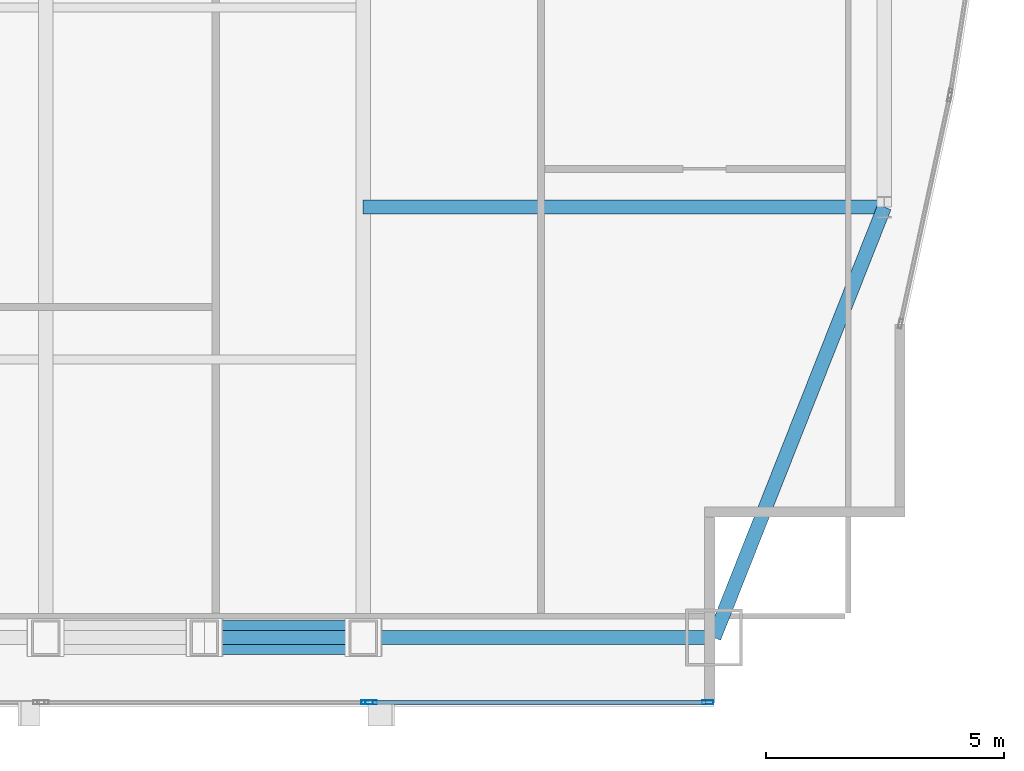
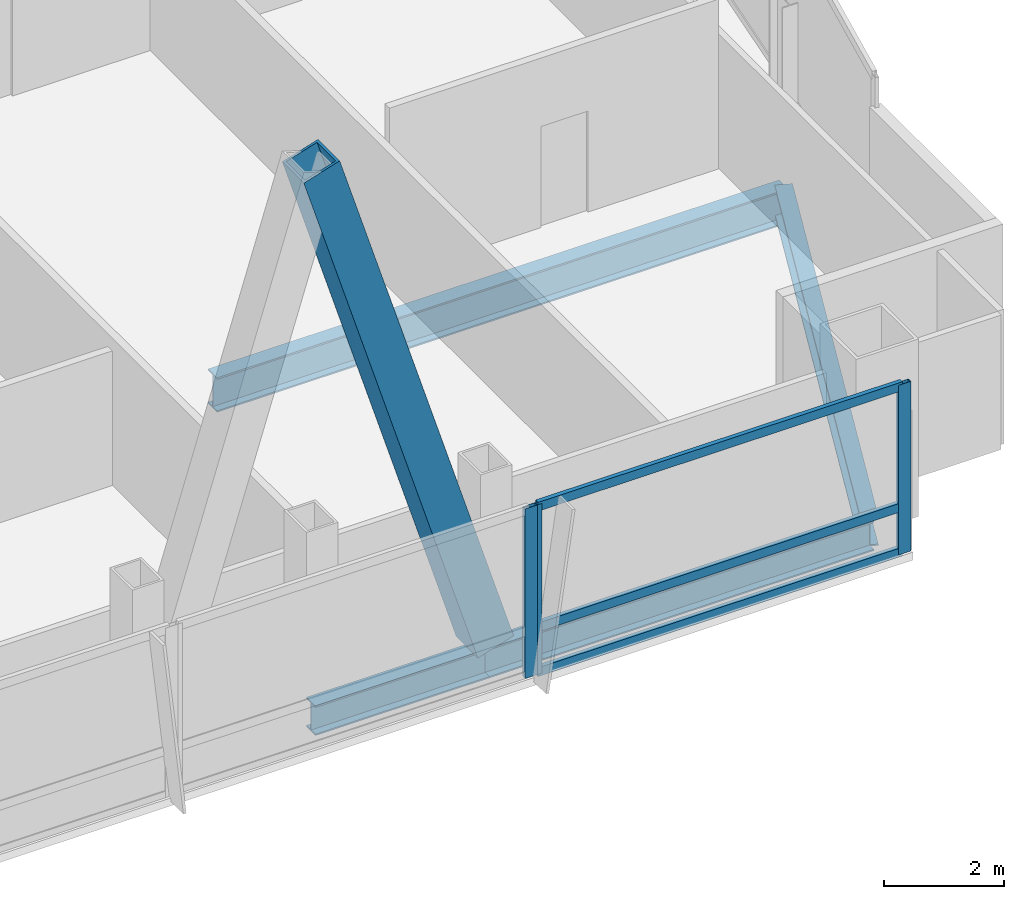
# One storey, part 15 of 33: 7 members, 4 beams, 2 elements without a shape of their own.
"""IFC4 building model written with IfcOpenShell, lengths in metres."""

from ifc_helpers import new_model, si_unit, direction, frame, origin, origin_2d, place, context, subcontext, project, spatial, hollow_rectangle, i_section, extrude, material, material_profile, profile_set, type_object, element, aggregate, save


model = new_model("IFC4")

# Units and contexts
model_context = context("Model", 3, precision=1e-05, world=origin(), true_north=direction((0.0, 1.0)))
body_context = subcontext(model_context, "Body", "Model", "MODEL_VIEW")
ifc_project = project(units=[si_unit("LENGTHUNIT", "METRE"), si_unit("AREAUNIT", "SQUARE_METRE"), si_unit("VOLUMEUNIT", "CUBIC_METRE"), si_unit("PLANEANGLEUNIT", "RADIAN"), si_unit("MASSUNIT", "GRAM", prefix="KILO")], contexts=[model_context])

# Site, building, storey
site_placement = place(None, origin())
site = spatial("IfcSite", under=ifc_project, at=site_placement, CompositionType="ELEMENT")
building_placement = place(site_placement, origin())
building = spatial("IfcBuilding", under=site, at=building_placement, Name="Khoronbel Lancet Exchange", CompositionType="ELEMENT")
storey_placement = place(building_placement, frame((0.0, 0.0, 210.199951171875)))
storey = spatial("IfcBuildingStorey", under=building, at=storey_placement, Name="L53", CompositionType="ELEMENT", Elevation=210.199951171875)

# Beams
ifc_material_1 = material(Name="Steel S355", Category="steel")
ifc_material_profile_1 = material_profile(ifc_material_1, i_section(OverallWidth=0.300048828125, OverallDepth=0.699951171875, WebThickness=0.01708984375, FlangeThickness=0.031982421875, at=origin_2d()), Name="HEB 700")
ifc_profile_set_1 = profile_set([ifc_material_profile_1], Name="Steel S355")
beam_type_1 = type_object("IfcBeamType", Name="BM-BG3", PredefinedType="BEAM", material=ifc_profile_set_1)
beam_1_placement = place(storey_placement, frame((54.675048828125, 19.199951171875, -0.510009765625), z_axis=(1.0, 0.0, 0.0), x_axis=(0.0, 1.0, 0.0)))
element("IfcBeam", 1, at=beam_1_placement, inside=storey, type_object=beam_type_1, Name="Level L53 east lens tie girder LG1E", PredefinedType="BEAM", context=body_context, shape_type="SweptSolid", body=[
    extrude(i_section(OverallWidth=0.300048828125, OverallDepth=0.699951171875, WebThickness=0.01708984375, FlangeThickness=0.031982421875, at=origin_2d()), origin(), (0.0, 0.0, 1.0), 10.954833984375),
])
ifc_material_profile_2 = material_profile(ifc_material_1, i_section(OverallWidth=0.300048828125, OverallDepth=0.60009765625, WebThickness=0.015380859375, FlangeThickness=0.030029296875, at=origin_2d()), Name="HEB 600")
ifc_profile_set_2 = profile_set([ifc_material_profile_2], Name="Steel S355")
beam_type_2 = type_object("IfcBeamType", Name="BM-BSP2", PredefinedType="SPANDREL", material=ifc_profile_set_2)
beam_2_placement = place(storey_placement, frame((51.33740234375, 10.14990234375, -0.4599609375), z_axis=(1.0, 0.0, 0.0), x_axis=(0.0, 1.0, 0.0)))
element("IfcBeam", 2, at=beam_2_placement, inside=storey, type_object=beam_type_2, Name="Level L53 perimeter spandrel beam SP08", PredefinedType="SPANDREL", context=body_context, shape_type="SweptSolid", body=[
    extrude(i_section(OverallWidth=0.300048828125, OverallDepth=0.60009765625, WebThickness=0.015380859375, FlangeThickness=0.030029296875, at=origin_2d()), origin(), (0.0, 0.0, 1.0), 3.337646484375),
])
beam_3_placement = place(storey_placement, frame((54.675048828125, 10.14990234375, -0.4599609375), z_axis=(1.0, 0.0, 0.0), x_axis=(0.0, 1.0, 0.0)))
element("IfcBeam", 3, at=beam_3_placement, inside=storey, type_object=beam_type_2, Name="Level L53 perimeter spandrel beam SP09", PredefinedType="SPANDREL", context=body_context, shape_type="SweptSolid", body=[
    extrude(i_section(OverallWidth=0.300048828125, OverallDepth=0.60009765625, WebThickness=0.015380859375, FlangeThickness=0.030029296875, at=origin_2d()), origin(), (0.0, 0.0, 1.0), 7.375),
])
beam_4_placement = place(storey_placement, frame((62.050048828125, 10.14990234375, -0.4599609375), z_axis=(0.367828403855, 0.929893684954, 0.0), x_axis=(-0.929893684954, 0.367828403855, 0.0)))
element("IfcBeam", 4, at=beam_4_placement, inside=storey, type_object=beam_type_2, Name="Level L53 perimeter spandrel beam SP10", PredefinedType="SPANDREL", context=body_context, shape_type="SweptSolid", body=[
    extrude(i_section(OverallWidth=0.300048828125, OverallDepth=0.60009765625, WebThickness=0.015380859375, FlangeThickness=0.030029296875, at=origin_2d()), origin(), (0.0, 0.0, 1.0), 9.732421875),
])

# Curtain wall, member
ifc_material_2 = material(Name="Low-E Solar Control Insulating Glass", Category="glass")
curtain_wall_type = type_object("IfcCurtainWallType", Name="CW-3", PredefinedType="NOTDEFINED", material=ifc_material_2)
curtain_wall_1_placement = place(storey_placement, origin())
curtain_wall_1 = element("IfcCurtainWall", 5, at=curtain_wall_1_placement, inside=storey, type_object=curtain_wall_type, Name="Unitised curtain wall CW-L53-SEB", PredefinedType="NOTDEFINED")
ifc_material_3 = material(Name="Bronze-Anodised Aluminium 6063-T6", Category="aluminium")
ifc_material_profile_3 = material_profile(ifc_material_3, hollow_rectangle(XDim=0.0849609375, YDim=0.239990234375, WallThickness=0.006103515625, at=origin_2d()), Name="ALU MULLION 85x240")
ifc_profile_set_3 = profile_set([ifc_material_profile_3], Name="Bronze-Anodised Aluminium 6063-T6")
member_type_1 = type_object("IfcMemberType", Name="MEM-CWM1", PredefinedType="MULLION", material=ifc_profile_set_3)
member_1_placement = place(storey_placement, frame((54.757568359375, 8.7900390625, 0.0), z_axis=(0.0, 0.0, 1.0), x_axis=(0.0, 1.0, 0.0)))
member_1 = element("IfcMember", 6, at=member_1_placement, type_object=member_type_1, Name="CW3 mullion 2", PredefinedType="MULLION", context=body_context, shape_type="SweptSolid", body=[
    extrude(hollow_rectangle(XDim=0.0849609375, YDim=0.239990234375, WallThickness=0.006103515625, at=origin_2d()), origin(), (0.0, 0.0, 1.0), 3.43994140625),
])
aggregate(curtain_wall_1, [member_1])

# Curtain wall, members
curtain_wall_2_placement = place(storey_placement, origin())
curtain_wall_2 = element("IfcCurtainWall", 7, at=curtain_wall_2_placement, inside=storey, type_object=curtain_wall_type, Name="Unitised curtain wall CW-L53-SEV", PredefinedType="NOTDEFINED")
member_2_placement = place(storey_placement, frame((54.842529296875, 8.7900390625, 0.0), z_axis=(0.0, 0.0, 1.0), x_axis=(0.0, 1.0, 0.0)))
member_2 = element("IfcMember", 8, at=member_2_placement, type_object=member_type_1, Name="CW3 mullion 1", PredefinedType="MULLION", context=body_context, shape_type="SweptSolid", body=[
    extrude(hollow_rectangle(XDim=0.0849609375, YDim=0.239990234375, WallThickness=0.006103515625, at=origin_2d()), origin(), (0.0, 0.0, 1.0), 3.43994140625),
])
member_3_placement = place(storey_placement, frame((61.91748046875, 8.7900390625, 0.0), z_axis=(0.0, 0.0, 1.0), x_axis=(0.0, 1.0, 0.0)))
member_3 = element("IfcMember", 9, at=member_3_placement, type_object=member_type_1, Name="CW3 mullion 2", PredefinedType="MULLION", context=body_context, shape_type="SweptSolid", body=[
    extrude(hollow_rectangle(XDim=0.0849609375, YDim=0.239990234375, WallThickness=0.006103515625, at=origin_2d()), origin(), (0.0, 0.0, 1.0), 3.43994140625),
])
ifc_material_profile_4 = material_profile(ifc_material_3, hollow_rectangle(XDim=0.0849609375, YDim=0.179931640625, WallThickness=0.0048828125, at=origin_2d()), Name="ALU TRANSOM 85x180")
ifc_profile_set_4 = profile_set([ifc_material_profile_4], Name="Bronze-Anodised Aluminium 6063-T6")
member_type_2 = type_object("IfcMemberType", Name="MEM-CWT1", PredefinedType="USERDEFINED", material=ifc_profile_set_4)
member_4_placement = place(storey_placement, frame((54.885009765625, 8.7900390625, 0.04248046875), z_axis=(1.0, 0.0, 0.0), x_axis=(0.0, 1.0, 0.0)))
member_4 = element("IfcMember", 10, at=member_4_placement, type_object=member_type_2, Name="CW3 transom 1.1", ObjectType="TRANSOM", PredefinedType="USERDEFINED", context=body_context, shape_type="SweptSolid", body=[
    extrude(hollow_rectangle(XDim=0.0849609375, YDim=0.179931640625, WallThickness=0.0048828125, at=origin_2d()), origin(), (0.0, 0.0, 1.0), 6.989990234375),
])
member_5_placement = place(storey_placement, frame((54.885009765625, 8.7900390625, 0.949951171875), z_axis=(1.0, 0.0, 0.0), x_axis=(0.0, 1.0, 0.0)))
member_5 = element("IfcMember", 11, at=member_5_placement, type_object=member_type_2, Name="CW3 transom 1.2", ObjectType="TRANSOM", PredefinedType="USERDEFINED", context=body_context, shape_type="SweptSolid", body=[
    extrude(hollow_rectangle(XDim=0.0849609375, YDim=0.179931640625, WallThickness=0.0048828125, at=origin_2d()), origin(), (0.0, 0.0, 1.0), 6.989990234375),
])
member_6_placement = place(storey_placement, frame((54.885009765625, 8.7900390625, 3.3974609375), z_axis=(1.0, 0.0, 0.0), x_axis=(0.0, 1.0, 0.0)))
member_6 = element("IfcMember", 12, at=member_6_placement, type_object=member_type_2, Name="CW3 transom 1.3", ObjectType="TRANSOM", PredefinedType="USERDEFINED", context=body_context, shape_type="SweptSolid", body=[
    extrude(hollow_rectangle(XDim=0.0849609375, YDim=0.179931640625, WallThickness=0.0048828125, at=origin_2d()), origin(), (0.0, 0.0, 1.0), 6.989990234375),
])
aggregate(curtain_wall_2, [member_2, member_3, member_4, member_5, member_6])

# Member
ifc_material_4 = material(Name="Steel S460", Category="steel")
ifc_material_profile_5 = material_profile(ifc_material_4, hollow_rectangle(XDim=0.719970703125, YDim=0.719970703125, WallThickness=0.050048828125, at=origin_2d()), Name="BOX 720x720x50")
ifc_profile_set_5 = profile_set([ifc_material_profile_5], Name="Steel S460")
member_type_3 = type_object("IfcMemberType", Name="MEM-MB2", PredefinedType="BRACE", material=ifc_profile_set_5)
member_7_placement = place(storey_placement, frame((54.675048828125, 10.14990234375, 0.0), z_axis=(-0.295261823895, 0.0, 0.955416378), x_axis=(0.0, -1.0, 0.0)))
element("IfcMember", 13, at=member_7_placement, inside=storey, type_object=member_type_3, Name="Perimeter lancet brace tier 18 S-E-R", PredefinedType="BRACE", context=body_context, shape_type="SweptSolid", body=[
    extrude(hollow_rectangle(XDim=0.719970703125, YDim=0.719970703125, WallThickness=0.050048828125, at=origin_2d()), origin(), (0.0, 0.0, 1.0), 11.303955078125),
])

save(model, "model.ifc")
